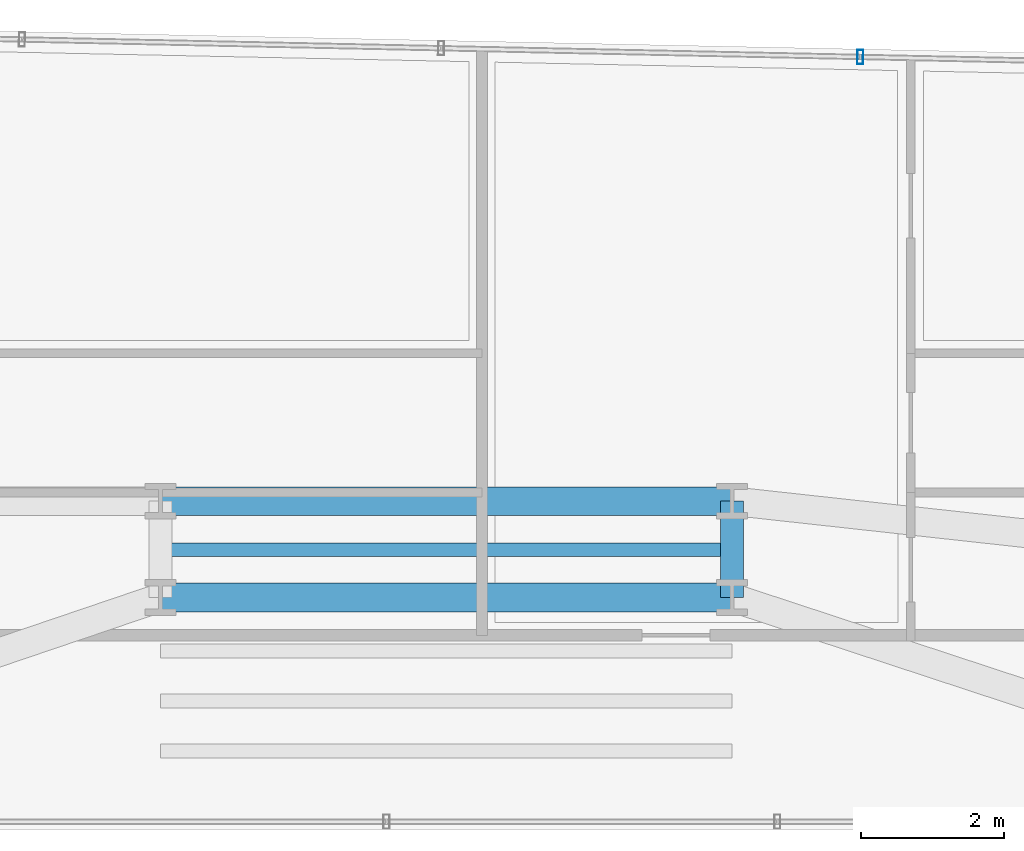
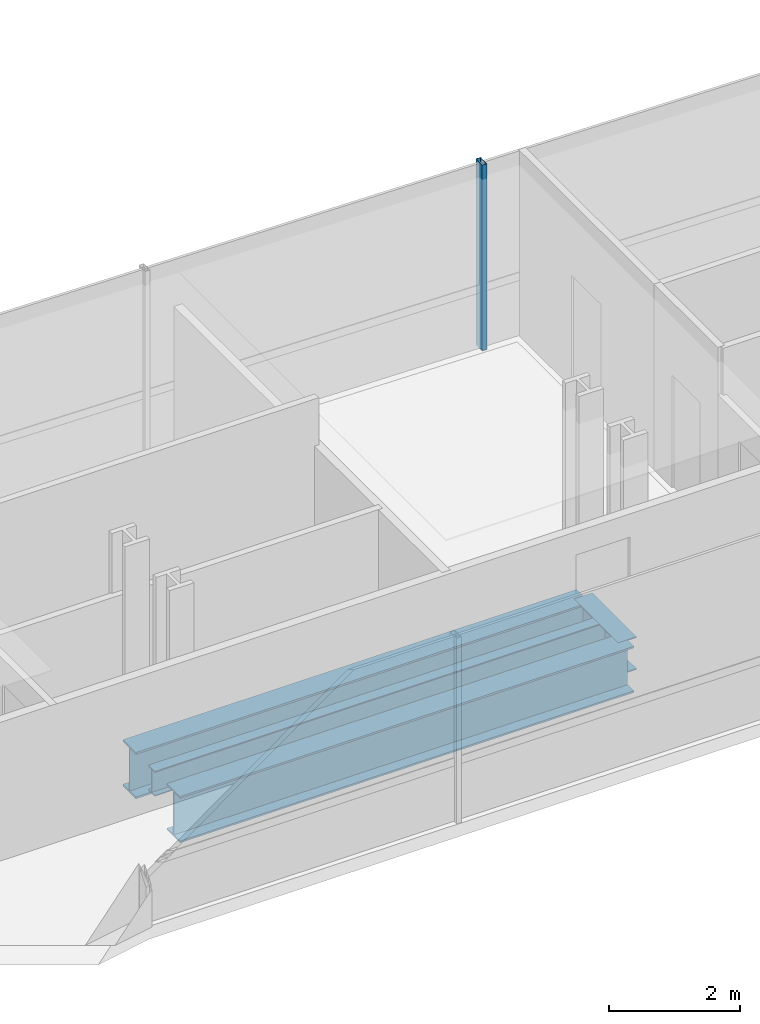
# One storey, part 22 of 41: 4 beams, 1 member, 1 element without a shape of its own.
"""IFC4 building model written with IfcOpenShell, lengths in metres."""

from ifc_helpers import new_model, si_unit, direction, frame, origin, origin_2d, place, context, subcontext, project, spatial, hollow_rectangle, i_section, extrude, source, transform, mapped, material, material_profile, profile_set, type_object, element, aggregate, save


model = new_model("IFC4")

# Units and contexts
model_context = context("Model", 3, precision=1e-05, world=origin(), true_north=direction((0.0, 1.0)))
body_context = subcontext(model_context, "Body", "Model", "MODEL_VIEW")
ifc_project = project(units=[si_unit("LENGTHUNIT", "METRE"), si_unit("AREAUNIT", "SQUARE_METRE"), si_unit("VOLUMEUNIT", "CUBIC_METRE"), si_unit("PLANEANGLEUNIT", "RADIAN"), si_unit("MASSUNIT", "GRAM", prefix="KILO")], contexts=[model_context])

# Site, building, storey
site_placement = place(None, origin())
site = spatial("IfcSite", under=ifc_project, at=site_placement, CompositionType="ELEMENT")
building_placement = place(site_placement, origin())
building = spatial("IfcBuilding", under=site, at=building_placement, Name="Valdorenza Pilgrim Sanctuary Tower", CompositionType="ELEMENT")
storey_placement = place(building_placement, frame((0.0, 0.0, 88.89990234375)))
storey = spatial("IfcBuildingStorey", under=building, at=storey_placement, Name="L22", CompositionType="ELEMENT", Elevation=88.89990234375)

# Beams
ifc_material_1 = material(Name="Steel ASTM A992 Grade 50", Category="steel")
ifc_material_profile_1 = material_profile(ifc_material_1, i_section(OverallWidth=0.39990234375, OverallDepth=0.862060546875, WebThickness=0.019775390625, FlangeThickness=0.032470703125, at=origin_2d()), Name="W33X221")
ifc_profile_set_1 = profile_set([ifc_material_profile_1], Name="Steel ASTM A992 Grade 50")
beam_type_1 = type_object("IfcBeamType", Name="STR-BM-GRD-W33", PredefinedType="BEAM", material=ifc_profile_set_1)
shared_shape_1 = source(origin(), body_context, "Body", "SweptSolid", [
    extrude(i_section(OverallWidth=0.39990234375, OverallDepth=0.862060546875, WebThickness=0.019775390625, FlangeThickness=0.032470703125, at=origin_2d()), origin(), (0.0, 0.0, 1.0), 8.0),
])
for number, where, z_axis, x_axis, name in (
    (1, (-4.0, 13.449951171875, -0.6708984375), (1.0, 0.0, 0.0), (0.0, 1.0, 0.0), "L22 Floor Girder KNK-G2"),
    (2, (-4.0, 14.800048828125, -0.6708984375), (1.0, 0.0, 0.0), (0.0, 1.0, 0.0), "L22 Floor Girder KNK-G5"),
):
    element("IfcBeam", number, at=place(storey_placement, frame(where, z_axis=z_axis, x_axis=x_axis)), inside=storey, type_object=beam_type_1, Name=name, PredefinedType="BEAM", context=body_context, shape_type="MappedRepresentation", body=[
        mapped(shared_shape_1, transform((0.0, 0.0, 0.0), x_axis=(1.0, 0.0, 0.0), y_axis=(0.0, 1.0, 0.0), z_axis=(0.0, 0.0, 1.0), scale=1.0)),
    ])
ifc_material_profile_2 = material_profile(ifc_material_1, i_section(OverallWidth=0.323974609375, OverallDepth=0.611083984375, WebThickness=0.0126953125, FlangeThickness=0.01904296875, at=origin_2d()), Name="W24X104")
ifc_profile_set_2 = profile_set([ifc_material_profile_2], Name="Steel ASTM A992 Grade 50")
beam_type_2 = type_object("IfcBeamType", Name="STR-BM-GRD-W24B", PredefinedType="BEAM", material=ifc_profile_set_2)
shared_shape_2 = source(origin(), body_context, "Body", "SweptSolid", [
    extrude(i_section(OverallWidth=0.323974609375, OverallDepth=0.611083984375, WebThickness=0.0126953125, FlangeThickness=0.01904296875, at=origin_2d()), origin(), (0.0, 0.0, 1.0), 1.35009765625),
])
beam_1_placement = place(storey_placement, frame((4.0, 13.449951171875, -0.54541015625), z_axis=(0.0, 1.0, 0.0), x_axis=(-1.0, 0.0, 0.0)))
element("IfcBeam", 3, at=beam_1_placement, inside=storey, type_object=beam_type_2, Name="L22 Floor Girder KNK-TIE-E", PredefinedType="BEAM", context=body_context, shape_type="MappedRepresentation", body=[
    mapped(shared_shape_2, transform((0.0, 0.0, 0.0), x_axis=(1.0, 0.0, 0.0), y_axis=(0.0, 1.0, 0.0), z_axis=(0.0, 0.0, 1.0), scale=1.0)),
])
ifc_material_profile_3 = material_profile(ifc_material_1, i_section(OverallWidth=0.193115234375, OverallDepth=0.466064453125, WebThickness=0.011474609375, FlangeThickness=0.01904296875, at=origin_2d()), Name="W18X65")
ifc_profile_set_3 = profile_set([ifc_material_profile_3], Name="Steel ASTM A992 Grade 50")
beam_type_3 = type_object("IfcBeamType", Name="STR-BM-JST-W18A", PredefinedType="JOIST", material=ifc_profile_set_3)
shared_shape_3 = source(origin(), body_context, "Body", "SweptSolid", [
    extrude(i_section(OverallWidth=0.193115234375, OverallDepth=0.466064453125, WebThickness=0.011474609375, FlangeThickness=0.01904296875, at=origin_2d()), origin(), (0.0, 0.0, 1.0), 8.0),
])
beam_2_placement = place(storey_placement, frame((-4.0, 14.1201171875, -0.472900390625), z_axis=(1.0, 0.0, 0.0), x_axis=(0.0, 1.0, 0.0)))
element("IfcBeam", 4, at=beam_2_placement, inside=storey, type_object=beam_type_3, Name="L22 Knuckle Composite Joist JST-KNK-4", PredefinedType="JOIST", context=body_context, shape_type="MappedRepresentation", body=[
    mapped(shared_shape_3, transform((0.0, 0.0, 0.0), x_axis=(1.0, 0.0, 0.0), y_axis=(0.0, 1.0, 0.0), z_axis=(0.0, 0.0, 1.0), scale=1.0)),
])

# Curtain wall, member
ifc_material_2 = material(Name="Curtain-wall IGU glazing", Category="glass")
curtain_wall_type = type_object("IfcCurtainWallType", Name="CW-SYS-02", PredefinedType="NOTDEFINED", material=ifc_material_2)
curtain_wall_placement = place(storey_placement, origin())
curtain_wall = element("IfcCurtainWall", 5, at=curtain_wall_placement, inside=storey, type_object=curtain_wall_type, Name="L22 Curtain Wall CW-L22-1-11", PredefinedType="NOTDEFINED")
ifc_material_3 = material(Name="Anodised aluminium AW-6060", Category="aluminium")
ifc_material_profile_4 = material_profile(ifc_material_3, hollow_rectangle(XDim=0.0849609375, YDim=0.199951171875, WallThickness=0.0048828125, at=origin_2d()), Name="ALU-M 200x85x5")
ifc_profile_set_4 = profile_set([ifc_material_profile_4], Name="Anodised aluminium AW-6060")
member_type = type_object("IfcMemberType", Name="CW-MUL-02", PredefinedType="MULLION", material=ifc_profile_set_4)
shared_shape_4 = source(origin(), body_context, "Body", "SweptSolid", [
    extrude(hollow_rectangle(XDim=0.0849609375, YDim=0.199951171875, WallThickness=0.0048828125, at=origin_2d()), origin(), (0.0, 0.0, 1.0), 3.460205078125),
])
member_placement = place(storey_placement, frame((5.797119140625, 21.019287109375, 0.0), z_axis=(0.0, 0.0, 1.0), x_axis=(0.999783234613, -0.020820273474, 0.0)))
member = element("IfcMember", 6, at=member_placement, type_object=member_type, Name="CW-L22-1-11 Mullion 4", PredefinedType="MULLION", context=body_context, shape_type="MappedRepresentation", body=[
    mapped(shared_shape_4, transform((0.0, 0.0, 0.0), x_axis=(1.0, 0.0, 0.0), y_axis=(0.0, 1.0, 0.0), z_axis=(0.0, 0.0, 1.0), scale=1.0)),
])
aggregate(curtain_wall, [member])

save(model, "model.ifc")
